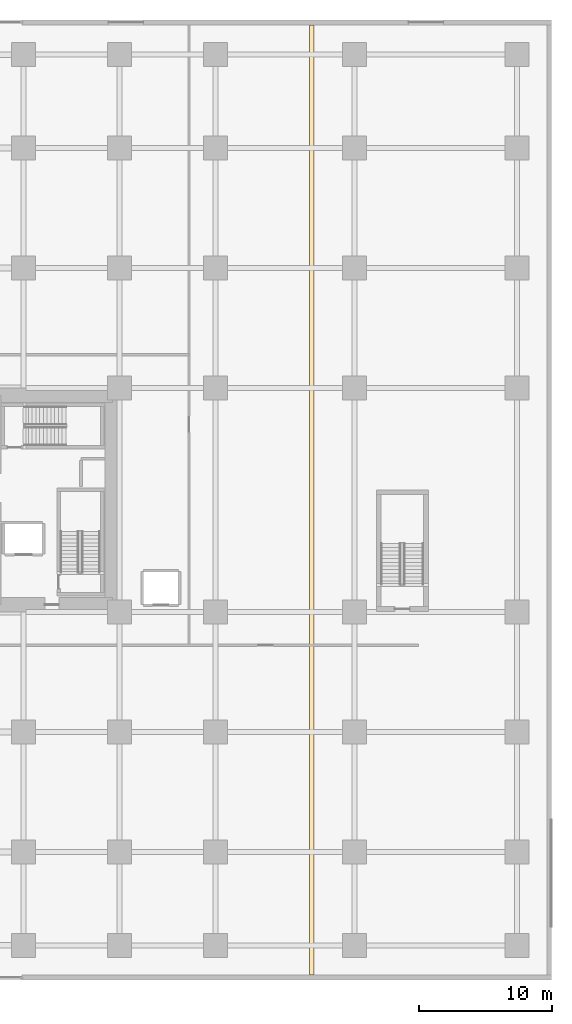
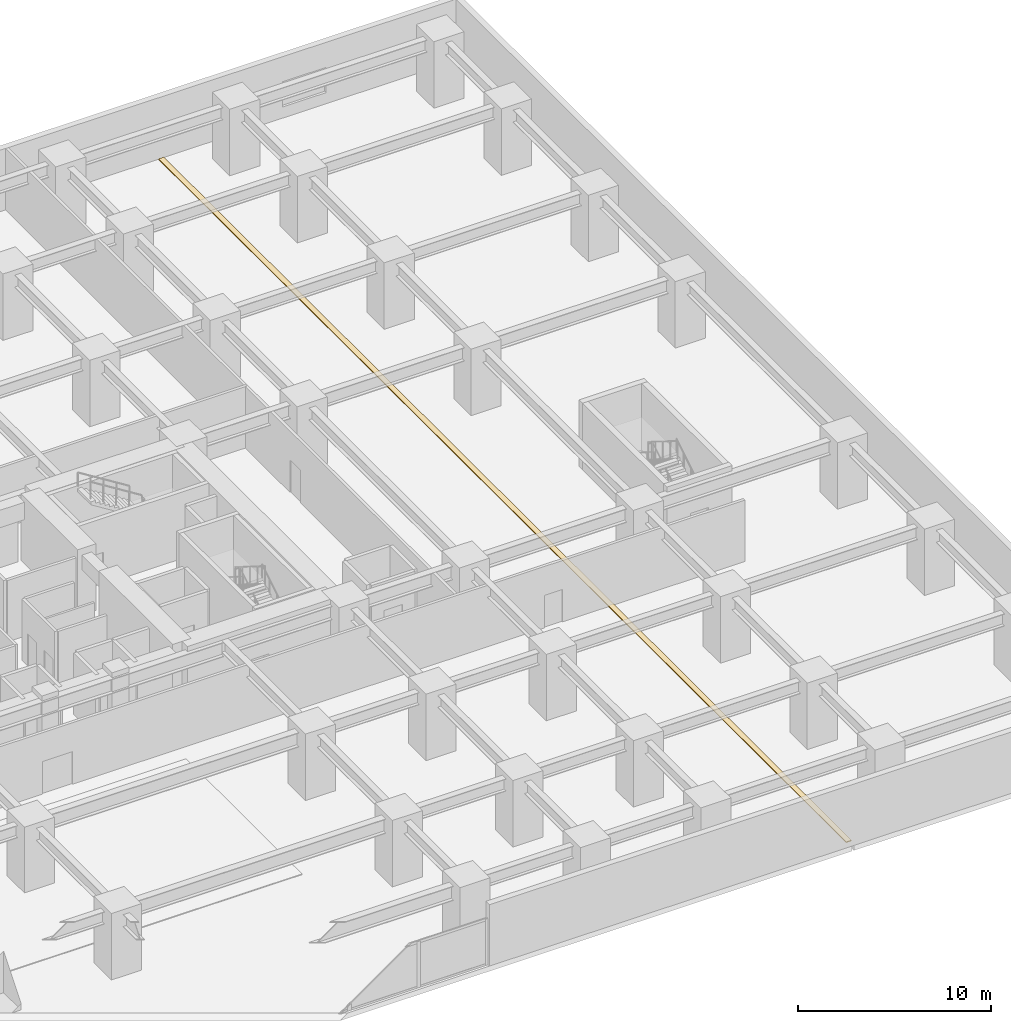
# One storey, part 21 of 22: 1 covering.
"""IFC4 building model written with IfcOpenShell, lengths in metres."""

from ifc_helpers import new_model, si_unit, direction, frame, origin, place, context, subcontext, project, spatial, polyline, outline, extrude, material, layer, layer_set, type_object, element, save


model = new_model("IFC4")

# Units and contexts
model_context = context("Model", 3, precision=1e-05, world=origin(), true_north=direction((0.0, 1.0)))
body_context = subcontext(model_context, "Body", "Model", "MODEL_VIEW")
ifc_project = project(units=[si_unit("LENGTHUNIT", "METRE"), si_unit("AREAUNIT", "SQUARE_METRE"), si_unit("VOLUMEUNIT", "CUBIC_METRE"), si_unit("PLANEANGLEUNIT", "RADIAN"), si_unit("MASSUNIT", "GRAM", prefix="KILO")], contexts=[model_context])

# Site, building, storey
site_placement = place(None, origin())
site = spatial("IfcSite", under=ifc_project, at=site_placement, CompositionType="ELEMENT")
building_placement = place(site_placement, origin())
building = spatial("IfcBuilding", under=site, at=building_placement, Name="Kiyonajd Concourse Tower", CompositionType="ELEMENT")
storey_placement = place(building_placement, frame((0.0, 0.0, 8.699951171875)))
storey = spatial("IfcBuildingStorey", under=building, at=storey_placement, Name="L03", CompositionType="ELEMENT", Elevation=8.699951171875)

# Covering
ifc_material = material(Name="Riyadh Jubaila Limestone", Category="masonry")
ifc_layer = layer(ifc_material, 0.050048828125)
ifc_layer_set = layer_set([ifc_layer], Name="Riyadh Jubaila Limestone")
covering_type = type_object("IfcCoveringType", Name="CV-FLR-RAISED", PredefinedType="FLOORING", material=ifc_layer_set)
covering_placement = place(storey_placement, origin())
element("IfcCovering", 1, at=covering_placement, inside=storey, type_object=covering_type, Name="L03 Seismic Movement Joint MJ1 Floor Cover Assembly", PredefinedType="FLOORING", context=body_context, shape_type="SweptSolid", body=[
    extrude(outline(polyline([(77.840087890625, 0.39990234375), (78.159912109375, 0.39990234375), (78.159912109375, 71.60009765625), (77.840087890625, 71.60009765625), (77.840087890625, 0.39990234375)])), origin(), (0.0, 0.0, 1.0), 0.050048828125),
])

save(model, "model.ifc")
